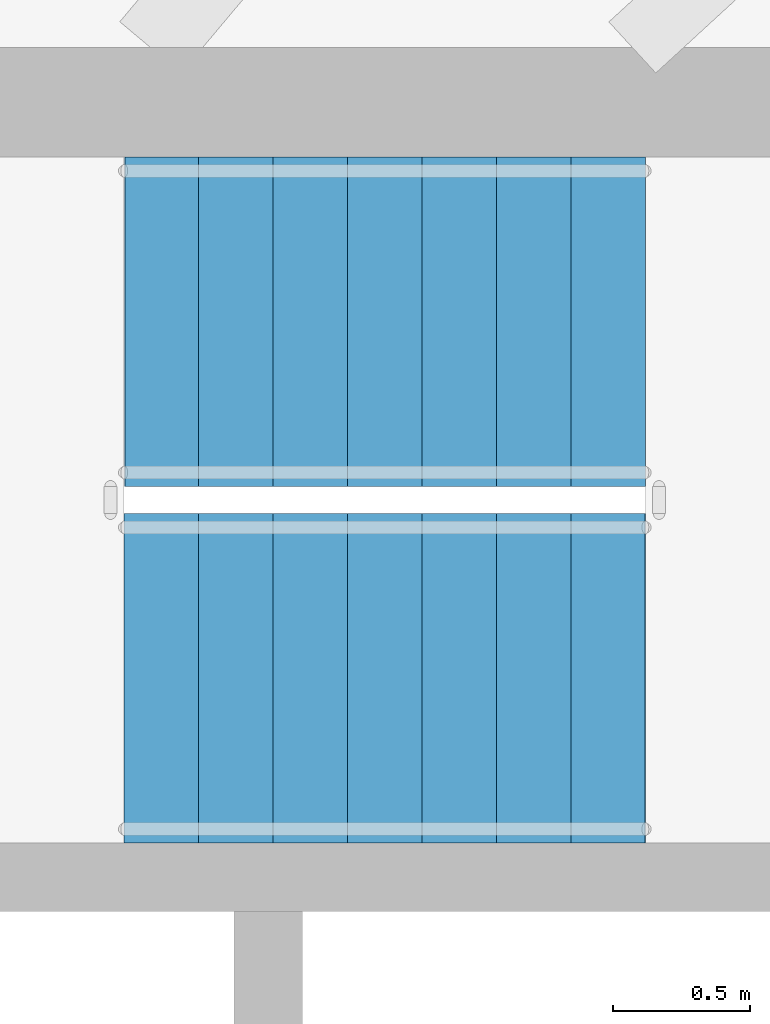
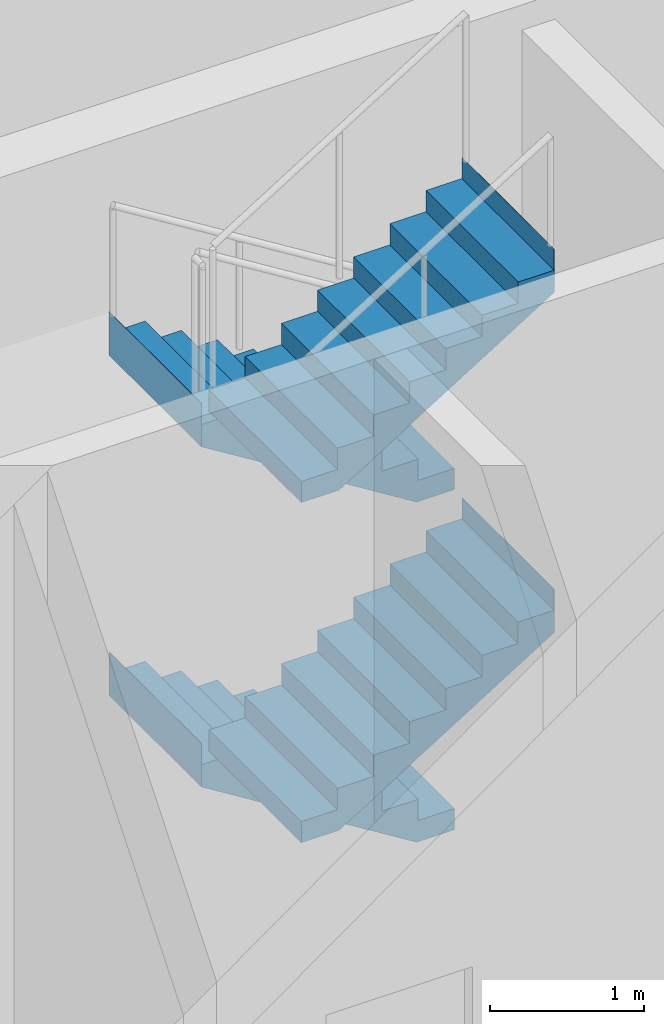
# One storey, part 11 of 16: 4 stair flights, 1 element without a shape of its own.
"""IFC4 building model written with IfcOpenShell, lengths in metres."""

from ifc_helpers import new_model, si_unit, direction, frame, origin, place, context, subcontext, project, spatial, triangles, material, type_object, element, aggregate, save


model = new_model("IFC4")

# Units and contexts
model_context = context("Model", 3, precision=1e-05, world=origin(), true_north=direction((0.0, 1.0)))
body_context = subcontext(model_context, "Body", "Model", "MODEL_VIEW")
ifc_project = project(units=[si_unit("LENGTHUNIT", "METRE"), si_unit("AREAUNIT", "SQUARE_METRE"), si_unit("VOLUMEUNIT", "CUBIC_METRE"), si_unit("PLANEANGLEUNIT", "RADIAN"), si_unit("MASSUNIT", "GRAM", prefix="KILO")], contexts=[model_context])

# Site, building, storey
site_placement = place(None, origin())
site = spatial("IfcSite", under=ifc_project, at=site_placement, CompositionType="ELEMENT")
building_placement = place(site_placement, origin())
building = spatial("IfcBuilding", under=site, at=building_placement, Name="Sahrelin Media Tower", CompositionType="ELEMENT")
storey_placement = place(building_placement, frame((0.0, 0.0, 324.39990234375)))
storey = spatial("IfcBuildingStorey", under=building, at=storey_placement, Name="L72", CompositionType="ELEMENT", Elevation=324.39990234375)

# Stair, stair flights
ifc_material = material(Name="Concrete C40/50", Category="concrete")
stair_type = type_object("IfcStairType", Name="Exit stair 1200", PredefinedType="HALF_TURN_STAIR", material=ifc_material)
stair_placement = place(storey_placement, origin())
stair = element("IfcStair", 1, at=stair_placement, inside=storey, type_object=stair_type, Name="L72 Exit stair ST3", PredefinedType="HALF_TURN_STAIR")
stair_flight_type = type_object("IfcStairFlightType", Name="Stair flight 1200", PredefinedType="STRAIGHT", material=ifc_material)
stair_flight_1_placement = place(storey_placement, frame((7.675048828125, 6.0, 0.0), z_axis=(0.0, 0.0, 1.0), x_axis=(-1.0, 0.0, 0.0)))
stair_flight_1 = element("IfcStairFlight", 2, at=stair_flight_1_placement, type_object=stair_flight_type, Name="ST3 flight 1", NumberOfRisers=8, NumberOfTreads=7, PredefinedType="STRAIGHT", RiserHeight=0.16875, TreadLength=0.271428571, context=body_context, shape_type="Tessellation", body=[
    triangles([(0.283935546875, 0.60009765625, 0.0), (0.283935546875, 0.300048828125, 0.0), (0.283935546875, 0.0, 0.0), (0.283935546875, -0.300048828125, 0.0), (0.283935546875, -0.60009765625, 0.0), (1.89990234375, 0.60009765625, 1.004638671875), (1.89990234375, 0.300048828125, 1.004638671875), (1.89990234375, 0.0, 1.004638671875), (1.89990234375, -0.300048828125, 1.004638671875), (1.89990234375, -0.60009765625, 1.004638671875), (1.89990234375, 0.60009765625, 1.35009765625), (1.89990234375, 0.300048828125, 1.35009765625), (1.89990234375, 0.0, 1.35009765625), (1.89990234375, -0.300048828125, 1.35009765625), (1.89990234375, -0.60009765625, 1.35009765625), (1.89794921875, 0.60009765625, 1.35009765625), (1.89794921875, 0.300048828125, 1.35009765625), (1.89794921875, 0.0, 1.35009765625), (1.89794921875, -0.300048828125, 1.35009765625), (1.89794921875, -0.60009765625, 1.35009765625), (1.89794921875, 0.60009765625, 1.18115234375), (1.89794921875, 0.300048828125, 1.18115234375), (1.89794921875, 0.0, 1.18115234375), (1.89794921875, -0.300048828125, 1.18115234375), (1.89794921875, -0.60009765625, 1.18115234375), (1.628662109375, 0.60009765625, 1.18115234375), (1.628662109375, 0.300048828125, 1.18115234375), (1.628662109375, 0.0, 1.18115234375), (1.628662109375, -0.300048828125, 1.18115234375), (1.628662109375, -0.60009765625, 1.18115234375), (1.628662109375, 0.60009765625, 1.012451171875), (1.628662109375, 0.300048828125, 1.012451171875), (1.628662109375, 0.0, 1.012451171875), (1.628662109375, -0.300048828125, 1.012451171875), (1.628662109375, -0.60009765625, 1.012451171875), (1.357177734375, 0.60009765625, 1.012451171875), (1.357177734375, 0.300048828125, 1.012451171875), (1.357177734375, 0.0, 1.012451171875), (1.357177734375, -0.300048828125, 1.012451171875), (1.357177734375, -0.60009765625, 1.012451171875), (1.357177734375, 0.60009765625, 0.84375), (1.357177734375, 0.300048828125, 0.84375), (1.357177734375, 0.0, 0.84375), (1.357177734375, -0.300048828125, 0.84375), (1.357177734375, -0.60009765625, 0.84375), (1.085693359375, 0.60009765625, 0.84375), (1.085693359375, 0.300048828125, 0.84375), (1.085693359375, 0.0, 0.84375), (1.085693359375, -0.300048828125, 0.84375), (1.085693359375, -0.60009765625, 0.84375), (1.085693359375, 0.60009765625, 0.675048828125), (1.085693359375, 0.300048828125, 0.675048828125), (1.085693359375, 0.0, 0.675048828125), (1.085693359375, -0.300048828125, 0.675048828125), (1.085693359375, -0.60009765625, 0.675048828125), (0.814208984375, 0.60009765625, 0.675048828125), (0.814208984375, 0.300048828125, 0.675048828125), (0.814208984375, 0.0, 0.675048828125), (0.814208984375, -0.300048828125, 0.675048828125), (0.814208984375, -0.60009765625, 0.675048828125), (0.814208984375, 0.60009765625, 0.50634765625), (0.814208984375, 0.300048828125, 0.50634765625), (0.814208984375, 0.0, 0.50634765625), (0.814208984375, -0.300048828125, 0.50634765625), (0.814208984375, -0.60009765625, 0.50634765625), (0.54296875, 0.60009765625, 0.50634765625), (0.54296875, 0.300048828125, 0.50634765625), (0.54296875, 0.0, 0.50634765625), (0.54296875, -0.300048828125, 0.50634765625), (0.54296875, -0.60009765625, 0.50634765625), (0.54296875, 0.60009765625, 0.33740234375), (0.54296875, 0.300048828125, 0.33740234375), (0.54296875, 0.0, 0.33740234375), (0.54296875, -0.300048828125, 0.33740234375), (0.54296875, -0.60009765625, 0.33740234375), (0.271484375, 0.60009765625, 0.33740234375), (0.271484375, 0.300048828125, 0.33740234375), (0.271484375, 0.0, 0.33740234375), (0.271484375, -0.300048828125, 0.33740234375), (0.271484375, -0.60009765625, 0.33740234375), (0.271484375, 0.60009765625, 0.168701171875), (0.271484375, 0.300048828125, 0.168701171875), (0.271484375, 0.0, 0.168701171875), (0.271484375, -0.300048828125, 0.168701171875), (0.271484375, -0.60009765625, 0.168701171875), (0.0, 0.60009765625, 0.168701171875), (0.0, 0.300048828125, 0.168701171875), (0.0, 0.0, 0.168701171875), (0.0, -0.300048828125, 0.168701171875), (0.0, -0.60009765625, 0.168701171875), (0.0, 0.60009765625, 0.0), (0.0, 0.300048828125, 0.0), (0.0, 0.0, 0.0), (0.0, -0.300048828125, 0.0), (0.0, -0.60009765625, 0.0)], [[1, 6, 7], [1, 7, 2], [2, 7, 8], [2, 8, 3], [3, 8, 9], [3, 9, 4], [4, 9, 10], [4, 10, 5], [6, 11, 12], [6, 12, 7], [7, 12, 13], [7, 13, 8], [8, 13, 14], [8, 14, 9], [9, 14, 15], [9, 15, 10], [11, 16, 17], [11, 17, 12], [12, 17, 18], [12, 18, 13], [13, 18, 19], [13, 19, 14], [14, 19, 20], [14, 20, 15], [16, 21, 22], [16, 22, 17], [17, 22, 23], [17, 23, 18], [18, 23, 24], [18, 24, 19], [19, 24, 25], [19, 25, 20], [21, 26, 27], [21, 27, 22], [22, 27, 28], [22, 28, 23], [23, 28, 29], [23, 29, 24], [24, 29, 30], [24, 30, 25], [26, 31, 32], [26, 32, 27], [27, 32, 33], [27, 33, 28], [28, 33, 34], [28, 34, 29], [29, 34, 35], [29, 35, 30], [31, 36, 37], [31, 37, 32], [32, 37, 38], [32, 38, 33], [33, 38, 39], [33, 39, 34], [34, 39, 40], [34, 40, 35], [36, 41, 42], [36, 42, 37], [37, 42, 43], [37, 43, 38], [38, 43, 44], [38, 44, 39], [39, 44, 45], [39, 45, 40], [41, 46, 47], [41, 47, 42], [42, 47, 48], [42, 48, 43], [43, 48, 49], [43, 49, 44], [44, 49, 50], [44, 50, 45], [46, 51, 52], [46, 52, 47], [47, 52, 53], [47, 53, 48], [48, 53, 54], [48, 54, 49], [49, 54, 55], [49, 55, 50], [51, 56, 57], [51, 57, 52], [52, 57, 58], [52, 58, 53], [53, 58, 59], [53, 59, 54], [54, 59, 60], [54, 60, 55], [56, 61, 62], [56, 62, 57], [57, 62, 63], [57, 63, 58], [58, 63, 64], [58, 64, 59], [59, 64, 65], [59, 65, 60], [61, 66, 67], [61, 67, 62], [62, 67, 68], [62, 68, 63], [63, 68, 69], [63, 69, 64], [64, 69, 70], [64, 70, 65], [66, 71, 72], [66, 72, 67], [67, 72, 73], [67, 73, 68], [68, 73, 74], [68, 74, 69], [69, 74, 75], [69, 75, 70], [71, 76, 77], [71, 77, 72], [72, 77, 78], [72, 78, 73], [73, 78, 79], [73, 79, 74], [74, 79, 80], [74, 80, 75], [76, 81, 82], [76, 82, 77], [77, 82, 83], [77, 83, 78], [78, 83, 84], [78, 84, 79], [79, 84, 85], [79, 85, 80], [81, 86, 87], [81, 87, 82], [82, 87, 88], [82, 88, 83], [83, 88, 89], [83, 89, 84], [84, 89, 90], [84, 90, 85], [86, 91, 92], [86, 92, 87], [87, 92, 93], [87, 93, 88], [88, 93, 94], [88, 94, 89], [89, 94, 95], [89, 95, 90], [91, 1, 2], [91, 2, 92], [92, 2, 3], [92, 3, 93], [93, 3, 4], [93, 4, 94], [94, 4, 5], [94, 5, 95], [85, 90, 95], [81, 91, 86], [85, 75, 80], [81, 76, 71], [75, 65, 70], [71, 66, 61], [65, 55, 60], [61, 56, 51], [55, 45, 50], [51, 46, 41], [45, 35, 40], [41, 36, 31], [35, 25, 30], [31, 26, 21], [25, 15, 20], [21, 16, 11], [95, 5, 85], [91, 81, 1], [5, 55, 65], [1, 61, 51], [25, 10, 15], [21, 11, 6], [75, 85, 5], [71, 1, 81], [10, 45, 55], [6, 51, 41], [35, 10, 25], [31, 21, 6], [65, 75, 5], [61, 1, 71], [45, 10, 35], [41, 31, 6], [5, 10, 55], [1, 51, 6]], closed=True),
])
stair_flight_2_placement = place(storey_placement, frame((5.77490234375, 4.699951171875, 1.35009765625), z_axis=(0.0, 0.0, 1.0), x_axis=(1.0, 0.0, 0.0)))
stair_flight_2 = element("IfcStairFlight", 3, at=stair_flight_2_placement, type_object=stair_flight_type, Name="ST3 flight 2", NumberOfRisers=8, NumberOfTreads=7, PredefinedType="STRAIGHT", RiserHeight=0.16875, TreadLength=0.271428571, context=body_context, shape_type="Tessellation", body=[
    triangles([(0.283935546875, 0.60009765625, 0.0), (0.283935546875, 0.300048828125, 0.0), (0.283935546875, 0.0, 0.0), (0.283935546875, -0.300048828125, 0.0), (0.283935546875, -0.60009765625, 0.0), (1.89990234375, 0.60009765625, 1.004638671875), (1.89990234375, 0.300048828125, 1.004638671875), (1.89990234375, 0.0, 1.004638671875), (1.89990234375, -0.300048828125, 1.004638671875), (1.89990234375, -0.60009765625, 1.004638671875), (1.89990234375, 0.60009765625, 1.35009765625), (1.89990234375, 0.300048828125, 1.35009765625), (1.89990234375, 0.0, 1.35009765625), (1.89990234375, -0.300048828125, 1.35009765625), (1.89990234375, -0.60009765625, 1.35009765625), (1.89794921875, 0.60009765625, 1.35009765625), (1.89794921875, 0.300048828125, 1.35009765625), (1.89794921875, 0.0, 1.35009765625), (1.89794921875, -0.300048828125, 1.35009765625), (1.89794921875, -0.60009765625, 1.35009765625), (1.89794921875, 0.60009765625, 1.18115234375), (1.89794921875, 0.300048828125, 1.18115234375), (1.89794921875, 0.0, 1.18115234375), (1.89794921875, -0.300048828125, 1.18115234375), (1.89794921875, -0.60009765625, 1.18115234375), (1.628662109375, 0.60009765625, 1.18115234375), (1.628662109375, 0.300048828125, 1.18115234375), (1.628662109375, 0.0, 1.18115234375), (1.628662109375, -0.300048828125, 1.18115234375), (1.628662109375, -0.60009765625, 1.18115234375), (1.628662109375, 0.60009765625, 1.012451171875), (1.628662109375, 0.300048828125, 1.012451171875), (1.628662109375, 0.0, 1.012451171875), (1.628662109375, -0.300048828125, 1.012451171875), (1.628662109375, -0.60009765625, 1.012451171875), (1.357177734375, 0.60009765625, 1.012451171875), (1.357177734375, 0.300048828125, 1.012451171875), (1.357177734375, 0.0, 1.012451171875), (1.357177734375, -0.300048828125, 1.012451171875), (1.357177734375, -0.60009765625, 1.012451171875), (1.357177734375, 0.60009765625, 0.84375), (1.357177734375, 0.300048828125, 0.84375), (1.357177734375, 0.0, 0.84375), (1.357177734375, -0.300048828125, 0.84375), (1.357177734375, -0.60009765625, 0.84375), (1.085693359375, 0.60009765625, 0.84375), (1.085693359375, 0.300048828125, 0.84375), (1.085693359375, 0.0, 0.84375), (1.085693359375, -0.300048828125, 0.84375), (1.085693359375, -0.60009765625, 0.84375), (1.085693359375, 0.60009765625, 0.675048828125), (1.085693359375, 0.300048828125, 0.675048828125), (1.085693359375, 0.0, 0.675048828125), (1.085693359375, -0.300048828125, 0.675048828125), (1.085693359375, -0.60009765625, 0.675048828125), (0.814208984375, 0.60009765625, 0.675048828125), (0.814208984375, 0.300048828125, 0.675048828125), (0.814208984375, 0.0, 0.675048828125), (0.814208984375, -0.300048828125, 0.675048828125), (0.814208984375, -0.60009765625, 0.675048828125), (0.814208984375, 0.60009765625, 0.50634765625), (0.814208984375, 0.300048828125, 0.50634765625), (0.814208984375, 0.0, 0.50634765625), (0.814208984375, -0.300048828125, 0.50634765625), (0.814208984375, -0.60009765625, 0.50634765625), (0.54296875, 0.60009765625, 0.50634765625), (0.54296875, 0.300048828125, 0.50634765625), (0.54296875, 0.0, 0.50634765625), (0.54296875, -0.300048828125, 0.50634765625), (0.54296875, -0.60009765625, 0.50634765625), (0.54296875, 0.60009765625, 0.33740234375), (0.54296875, 0.300048828125, 0.33740234375), (0.54296875, 0.0, 0.33740234375), (0.54296875, -0.300048828125, 0.33740234375), (0.54296875, -0.60009765625, 0.33740234375), (0.271484375, 0.60009765625, 0.33740234375), (0.271484375, 0.300048828125, 0.33740234375), (0.271484375, 0.0, 0.33740234375), (0.271484375, -0.300048828125, 0.33740234375), (0.271484375, -0.60009765625, 0.33740234375), (0.271484375, 0.60009765625, 0.168701171875), (0.271484375, 0.300048828125, 0.168701171875), (0.271484375, 0.0, 0.168701171875), (0.271484375, -0.300048828125, 0.168701171875), (0.271484375, -0.60009765625, 0.168701171875), (0.0, 0.60009765625, 0.168701171875), (0.0, 0.300048828125, 0.168701171875), (0.0, 0.0, 0.168701171875), (0.0, -0.300048828125, 0.168701171875), (0.0, -0.60009765625, 0.168701171875), (0.0, 0.60009765625, 0.0), (0.0, 0.300048828125, 0.0), (0.0, 0.0, 0.0), (0.0, -0.300048828125, 0.0), (0.0, -0.60009765625, 0.0)], [[1, 6, 7], [1, 7, 2], [2, 7, 8], [2, 8, 3], [3, 8, 9], [3, 9, 4], [4, 9, 10], [4, 10, 5], [6, 11, 12], [6, 12, 7], [7, 12, 13], [7, 13, 8], [8, 13, 14], [8, 14, 9], [9, 14, 15], [9, 15, 10], [11, 16, 17], [11, 17, 12], [12, 17, 18], [12, 18, 13], [13, 18, 19], [13, 19, 14], [14, 19, 20], [14, 20, 15], [16, 21, 22], [16, 22, 17], [17, 22, 23], [17, 23, 18], [18, 23, 24], [18, 24, 19], [19, 24, 25], [19, 25, 20], [21, 26, 27], [21, 27, 22], [22, 27, 28], [22, 28, 23], [23, 28, 29], [23, 29, 24], [24, 29, 30], [24, 30, 25], [26, 31, 32], [26, 32, 27], [27, 32, 33], [27, 33, 28], [28, 33, 34], [28, 34, 29], [29, 34, 35], [29, 35, 30], [31, 36, 37], [31, 37, 32], [32, 37, 38], [32, 38, 33], [33, 38, 39], [33, 39, 34], [34, 39, 40], [34, 40, 35], [36, 41, 42], [36, 42, 37], [37, 42, 43], [37, 43, 38], [38, 43, 44], [38, 44, 39], [39, 44, 45], [39, 45, 40], [41, 46, 47], [41, 47, 42], [42, 47, 48], [42, 48, 43], [43, 48, 49], [43, 49, 44], [44, 49, 50], [44, 50, 45], [46, 51, 52], [46, 52, 47], [47, 52, 53], [47, 53, 48], [48, 53, 54], [48, 54, 49], [49, 54, 55], [49, 55, 50], [51, 56, 57], [51, 57, 52], [52, 57, 58], [52, 58, 53], [53, 58, 59], [53, 59, 54], [54, 59, 60], [54, 60, 55], [56, 61, 62], [56, 62, 57], [57, 62, 63], [57, 63, 58], [58, 63, 64], [58, 64, 59], [59, 64, 65], [59, 65, 60], [61, 66, 67], [61, 67, 62], [62, 67, 68], [62, 68, 63], [63, 68, 69], [63, 69, 64], [64, 69, 70], [64, 70, 65], [66, 71, 72], [66, 72, 67], [67, 72, 73], [67, 73, 68], [68, 73, 74], [68, 74, 69], [69, 74, 75], [69, 75, 70], [71, 76, 77], [71, 77, 72], [72, 77, 78], [72, 78, 73], [73, 78, 79], [73, 79, 74], [74, 79, 80], [74, 80, 75], [76, 81, 82], [76, 82, 77], [77, 82, 83], [77, 83, 78], [78, 83, 84], [78, 84, 79], [79, 84, 85], [79, 85, 80], [81, 86, 87], [81, 87, 82], [82, 87, 88], [82, 88, 83], [83, 88, 89], [83, 89, 84], [84, 89, 90], [84, 90, 85], [86, 91, 92], [86, 92, 87], [87, 92, 93], [87, 93, 88], [88, 93, 94], [88, 94, 89], [89, 94, 95], [89, 95, 90], [91, 1, 2], [91, 2, 92], [92, 2, 3], [92, 3, 93], [93, 3, 4], [93, 4, 94], [94, 4, 5], [94, 5, 95], [85, 90, 95], [81, 91, 86], [85, 75, 80], [81, 76, 71], [75, 65, 70], [71, 66, 61], [65, 55, 60], [61, 56, 51], [55, 45, 50], [51, 46, 41], [45, 35, 40], [41, 36, 31], [35, 25, 30], [31, 26, 21], [25, 15, 20], [21, 16, 11], [95, 5, 85], [91, 81, 1], [5, 55, 65], [1, 61, 51], [25, 10, 15], [21, 11, 6], [75, 85, 5], [71, 1, 81], [10, 45, 55], [6, 51, 41], [35, 10, 25], [31, 21, 6], [65, 75, 5], [61, 1, 71], [45, 10, 35], [41, 31, 6], [5, 10, 55], [1, 51, 6]], closed=True),
])
stair_flight_3_placement = place(storey_placement, frame((7.675048828125, 6.0, 2.7001953125), z_axis=(0.0, 0.0, 1.0), x_axis=(-1.0, 0.0, 0.0)))
stair_flight_3 = element("IfcStairFlight", 4, at=stair_flight_3_placement, type_object=stair_flight_type, Name="ST3 flight 3", NumberOfRisers=8, NumberOfTreads=7, PredefinedType="STRAIGHT", RiserHeight=0.16875, TreadLength=0.271428571, context=body_context, shape_type="Tessellation", body=[
    triangles([(0.283935546875, 0.60009765625, 0.0), (0.283935546875, 0.300048828125, 0.0), (0.283935546875, 0.0, 0.0), (0.283935546875, -0.300048828125, 0.0), (0.283935546875, -0.60009765625, 0.0), (1.89990234375, 0.60009765625, 1.004638671875), (1.89990234375, 0.300048828125, 1.004638671875), (1.89990234375, 0.0, 1.004638671875), (1.89990234375, -0.300048828125, 1.004638671875), (1.89990234375, -0.60009765625, 1.004638671875), (1.89990234375, 0.60009765625, 1.35009765625), (1.89990234375, 0.300048828125, 1.35009765625), (1.89990234375, 0.0, 1.35009765625), (1.89990234375, -0.300048828125, 1.35009765625), (1.89990234375, -0.60009765625, 1.35009765625), (1.89794921875, 0.60009765625, 1.35009765625), (1.89794921875, 0.300048828125, 1.35009765625), (1.89794921875, 0.0, 1.35009765625), (1.89794921875, -0.300048828125, 1.35009765625), (1.89794921875, -0.60009765625, 1.35009765625), (1.89794921875, 0.60009765625, 1.18115234375), (1.89794921875, 0.300048828125, 1.18115234375), (1.89794921875, 0.0, 1.18115234375), (1.89794921875, -0.300048828125, 1.18115234375), (1.89794921875, -0.60009765625, 1.18115234375), (1.628662109375, 0.60009765625, 1.18115234375), (1.628662109375, 0.300048828125, 1.18115234375), (1.628662109375, 0.0, 1.18115234375), (1.628662109375, -0.300048828125, 1.18115234375), (1.628662109375, -0.60009765625, 1.18115234375), (1.628662109375, 0.60009765625, 1.012451171875), (1.628662109375, 0.300048828125, 1.012451171875), (1.628662109375, 0.0, 1.012451171875), (1.628662109375, -0.300048828125, 1.012451171875), (1.628662109375, -0.60009765625, 1.012451171875), (1.357177734375, 0.60009765625, 1.012451171875), (1.357177734375, 0.300048828125, 1.012451171875), (1.357177734375, 0.0, 1.012451171875), (1.357177734375, -0.300048828125, 1.012451171875), (1.357177734375, -0.60009765625, 1.012451171875), (1.357177734375, 0.60009765625, 0.84375), (1.357177734375, 0.300048828125, 0.84375), (1.357177734375, 0.0, 0.84375), (1.357177734375, -0.300048828125, 0.84375), (1.357177734375, -0.60009765625, 0.84375), (1.085693359375, 0.60009765625, 0.84375), (1.085693359375, 0.300048828125, 0.84375), (1.085693359375, 0.0, 0.84375), (1.085693359375, -0.300048828125, 0.84375), (1.085693359375, -0.60009765625, 0.84375), (1.085693359375, 0.60009765625, 0.675048828125), (1.085693359375, 0.300048828125, 0.675048828125), (1.085693359375, 0.0, 0.675048828125), (1.085693359375, -0.300048828125, 0.675048828125), (1.085693359375, -0.60009765625, 0.675048828125), (0.814208984375, 0.60009765625, 0.675048828125), (0.814208984375, 0.300048828125, 0.675048828125), (0.814208984375, 0.0, 0.675048828125), (0.814208984375, -0.300048828125, 0.675048828125), (0.814208984375, -0.60009765625, 0.675048828125), (0.814208984375, 0.60009765625, 0.50634765625), (0.814208984375, 0.300048828125, 0.50634765625), (0.814208984375, 0.0, 0.50634765625), (0.814208984375, -0.300048828125, 0.50634765625), (0.814208984375, -0.60009765625, 0.50634765625), (0.54296875, 0.60009765625, 0.50634765625), (0.54296875, 0.300048828125, 0.50634765625), (0.54296875, 0.0, 0.50634765625), (0.54296875, -0.300048828125, 0.50634765625), (0.54296875, -0.60009765625, 0.50634765625), (0.54296875, 0.60009765625, 0.33740234375), (0.54296875, 0.300048828125, 0.33740234375), (0.54296875, 0.0, 0.33740234375), (0.54296875, -0.300048828125, 0.33740234375), (0.54296875, -0.60009765625, 0.33740234375), (0.271484375, 0.60009765625, 0.33740234375), (0.271484375, 0.300048828125, 0.33740234375), (0.271484375, 0.0, 0.33740234375), (0.271484375, -0.300048828125, 0.33740234375), (0.271484375, -0.60009765625, 0.33740234375), (0.271484375, 0.60009765625, 0.168701171875), (0.271484375, 0.300048828125, 0.168701171875), (0.271484375, 0.0, 0.168701171875), (0.271484375, -0.300048828125, 0.168701171875), (0.271484375, -0.60009765625, 0.168701171875), (0.0, 0.60009765625, 0.168701171875), (0.0, 0.300048828125, 0.168701171875), (0.0, 0.0, 0.168701171875), (0.0, -0.300048828125, 0.168701171875), (0.0, -0.60009765625, 0.168701171875), (0.0, 0.60009765625, 0.0), (0.0, 0.300048828125, 0.0), (0.0, 0.0, 0.0), (0.0, -0.300048828125, 0.0), (0.0, -0.60009765625, 0.0)], [[1, 6, 7], [1, 7, 2], [2, 7, 8], [2, 8, 3], [3, 8, 9], [3, 9, 4], [4, 9, 10], [4, 10, 5], [6, 11, 12], [6, 12, 7], [7, 12, 13], [7, 13, 8], [8, 13, 14], [8, 14, 9], [9, 14, 15], [9, 15, 10], [11, 16, 17], [11, 17, 12], [12, 17, 18], [12, 18, 13], [13, 18, 19], [13, 19, 14], [14, 19, 20], [14, 20, 15], [16, 21, 22], [16, 22, 17], [17, 22, 23], [17, 23, 18], [18, 23, 24], [18, 24, 19], [19, 24, 25], [19, 25, 20], [21, 26, 27], [21, 27, 22], [22, 27, 28], [22, 28, 23], [23, 28, 29], [23, 29, 24], [24, 29, 30], [24, 30, 25], [26, 31, 32], [26, 32, 27], [27, 32, 33], [27, 33, 28], [28, 33, 34], [28, 34, 29], [29, 34, 35], [29, 35, 30], [31, 36, 37], [31, 37, 32], [32, 37, 38], [32, 38, 33], [33, 38, 39], [33, 39, 34], [34, 39, 40], [34, 40, 35], [36, 41, 42], [36, 42, 37], [37, 42, 43], [37, 43, 38], [38, 43, 44], [38, 44, 39], [39, 44, 45], [39, 45, 40], [41, 46, 47], [41, 47, 42], [42, 47, 48], [42, 48, 43], [43, 48, 49], [43, 49, 44], [44, 49, 50], [44, 50, 45], [46, 51, 52], [46, 52, 47], [47, 52, 53], [47, 53, 48], [48, 53, 54], [48, 54, 49], [49, 54, 55], [49, 55, 50], [51, 56, 57], [51, 57, 52], [52, 57, 58], [52, 58, 53], [53, 58, 59], [53, 59, 54], [54, 59, 60], [54, 60, 55], [56, 61, 62], [56, 62, 57], [57, 62, 63], [57, 63, 58], [58, 63, 64], [58, 64, 59], [59, 64, 65], [59, 65, 60], [61, 66, 67], [61, 67, 62], [62, 67, 68], [62, 68, 63], [63, 68, 69], [63, 69, 64], [64, 69, 70], [64, 70, 65], [66, 71, 72], [66, 72, 67], [67, 72, 73], [67, 73, 68], [68, 73, 74], [68, 74, 69], [69, 74, 75], [69, 75, 70], [71, 76, 77], [71, 77, 72], [72, 77, 78], [72, 78, 73], [73, 78, 79], [73, 79, 74], [74, 79, 80], [74, 80, 75], [76, 81, 82], [76, 82, 77], [77, 82, 83], [77, 83, 78], [78, 83, 84], [78, 84, 79], [79, 84, 85], [79, 85, 80], [81, 86, 87], [81, 87, 82], [82, 87, 88], [82, 88, 83], [83, 88, 89], [83, 89, 84], [84, 89, 90], [84, 90, 85], [86, 91, 92], [86, 92, 87], [87, 92, 93], [87, 93, 88], [88, 93, 94], [88, 94, 89], [89, 94, 95], [89, 95, 90], [91, 1, 2], [91, 2, 92], [92, 2, 3], [92, 3, 93], [93, 3, 4], [93, 4, 94], [94, 4, 5], [94, 5, 95], [85, 90, 95], [81, 91, 86], [85, 75, 80], [81, 76, 71], [75, 65, 70], [71, 66, 61], [65, 55, 60], [61, 56, 51], [55, 45, 50], [51, 46, 41], [45, 35, 40], [41, 36, 31], [35, 25, 30], [31, 26, 21], [25, 15, 20], [21, 16, 11], [95, 5, 85], [91, 81, 1], [5, 55, 65], [1, 61, 51], [25, 10, 15], [21, 11, 6], [75, 85, 5], [71, 1, 81], [10, 45, 55], [6, 51, 41], [35, 10, 25], [31, 21, 6], [65, 75, 5], [61, 1, 71], [45, 10, 35], [41, 31, 6], [5, 10, 55], [1, 51, 6]], closed=True),
])
stair_flight_4_placement = place(storey_placement, frame((5.77490234375, 4.699951171875, 4.050048828125), z_axis=(0.0, 0.0, 1.0), x_axis=(1.0, 0.0, 0.0)))
stair_flight_4 = element("IfcStairFlight", 5, at=stair_flight_4_placement, type_object=stair_flight_type, Name="ST3 flight 4", NumberOfRisers=8, NumberOfTreads=7, PredefinedType="STRAIGHT", RiserHeight=0.16875, TreadLength=0.271428571, context=body_context, shape_type="Tessellation", body=[
    triangles([(0.283935546875, 0.60009765625, 0.0), (0.283935546875, 0.300048828125, 0.0), (0.283935546875, 0.0, 0.0), (0.283935546875, -0.300048828125, 0.0), (0.283935546875, -0.60009765625, 0.0), (1.89990234375, 0.60009765625, 1.004638671875), (1.89990234375, 0.300048828125, 1.004638671875), (1.89990234375, 0.0, 1.004638671875), (1.89990234375, -0.300048828125, 1.004638671875), (1.89990234375, -0.60009765625, 1.004638671875), (1.89990234375, 0.60009765625, 1.35009765625), (1.89990234375, 0.300048828125, 1.35009765625), (1.89990234375, 0.0, 1.35009765625), (1.89990234375, -0.300048828125, 1.35009765625), (1.89990234375, -0.60009765625, 1.35009765625), (1.89794921875, 0.60009765625, 1.35009765625), (1.89794921875, 0.300048828125, 1.35009765625), (1.89794921875, 0.0, 1.35009765625), (1.89794921875, -0.300048828125, 1.35009765625), (1.89794921875, -0.60009765625, 1.35009765625), (1.89794921875, 0.60009765625, 1.18115234375), (1.89794921875, 0.300048828125, 1.18115234375), (1.89794921875, 0.0, 1.18115234375), (1.89794921875, -0.300048828125, 1.18115234375), (1.89794921875, -0.60009765625, 1.18115234375), (1.628662109375, 0.60009765625, 1.18115234375), (1.628662109375, 0.300048828125, 1.18115234375), (1.628662109375, 0.0, 1.18115234375), (1.628662109375, -0.300048828125, 1.18115234375), (1.628662109375, -0.60009765625, 1.18115234375), (1.628662109375, 0.60009765625, 1.012451171875), (1.628662109375, 0.300048828125, 1.012451171875), (1.628662109375, 0.0, 1.012451171875), (1.628662109375, -0.300048828125, 1.012451171875), (1.628662109375, -0.60009765625, 1.012451171875), (1.357177734375, 0.60009765625, 1.012451171875), (1.357177734375, 0.300048828125, 1.012451171875), (1.357177734375, 0.0, 1.012451171875), (1.357177734375, -0.300048828125, 1.012451171875), (1.357177734375, -0.60009765625, 1.012451171875), (1.357177734375, 0.60009765625, 0.84375), (1.357177734375, 0.300048828125, 0.84375), (1.357177734375, 0.0, 0.84375), (1.357177734375, -0.300048828125, 0.84375), (1.357177734375, -0.60009765625, 0.84375), (1.085693359375, 0.60009765625, 0.84375), (1.085693359375, 0.300048828125, 0.84375), (1.085693359375, 0.0, 0.84375), (1.085693359375, -0.300048828125, 0.84375), (1.085693359375, -0.60009765625, 0.84375), (1.085693359375, 0.60009765625, 0.675048828125), (1.085693359375, 0.300048828125, 0.675048828125), (1.085693359375, 0.0, 0.675048828125), (1.085693359375, -0.300048828125, 0.675048828125), (1.085693359375, -0.60009765625, 0.675048828125), (0.814208984375, 0.60009765625, 0.675048828125), (0.814208984375, 0.300048828125, 0.675048828125), (0.814208984375, 0.0, 0.675048828125), (0.814208984375, -0.300048828125, 0.675048828125), (0.814208984375, -0.60009765625, 0.675048828125), (0.814208984375, 0.60009765625, 0.50634765625), (0.814208984375, 0.300048828125, 0.50634765625), (0.814208984375, 0.0, 0.50634765625), (0.814208984375, -0.300048828125, 0.50634765625), (0.814208984375, -0.60009765625, 0.50634765625), (0.54296875, 0.60009765625, 0.50634765625), (0.54296875, 0.300048828125, 0.50634765625), (0.54296875, 0.0, 0.50634765625), (0.54296875, -0.300048828125, 0.50634765625), (0.54296875, -0.60009765625, 0.50634765625), (0.54296875, 0.60009765625, 0.33740234375), (0.54296875, 0.300048828125, 0.33740234375), (0.54296875, 0.0, 0.33740234375), (0.54296875, -0.300048828125, 0.33740234375), (0.54296875, -0.60009765625, 0.33740234375), (0.271484375, 0.60009765625, 0.33740234375), (0.271484375, 0.300048828125, 0.33740234375), (0.271484375, 0.0, 0.33740234375), (0.271484375, -0.300048828125, 0.33740234375), (0.271484375, -0.60009765625, 0.33740234375), (0.271484375, 0.60009765625, 0.168701171875), (0.271484375, 0.300048828125, 0.168701171875), (0.271484375, 0.0, 0.168701171875), (0.271484375, -0.300048828125, 0.168701171875), (0.271484375, -0.60009765625, 0.168701171875), (0.0, 0.60009765625, 0.168701171875), (0.0, 0.300048828125, 0.168701171875), (0.0, 0.0, 0.168701171875), (0.0, -0.300048828125, 0.168701171875), (0.0, -0.60009765625, 0.168701171875), (0.0, 0.60009765625, 0.0), (0.0, 0.300048828125, 0.0), (0.0, 0.0, 0.0), (0.0, -0.300048828125, 0.0), (0.0, -0.60009765625, 0.0)], [[1, 6, 7], [1, 7, 2], [2, 7, 8], [2, 8, 3], [3, 8, 9], [3, 9, 4], [4, 9, 10], [4, 10, 5], [6, 11, 12], [6, 12, 7], [7, 12, 13], [7, 13, 8], [8, 13, 14], [8, 14, 9], [9, 14, 15], [9, 15, 10], [11, 16, 17], [11, 17, 12], [12, 17, 18], [12, 18, 13], [13, 18, 19], [13, 19, 14], [14, 19, 20], [14, 20, 15], [16, 21, 22], [16, 22, 17], [17, 22, 23], [17, 23, 18], [18, 23, 24], [18, 24, 19], [19, 24, 25], [19, 25, 20], [21, 26, 27], [21, 27, 22], [22, 27, 28], [22, 28, 23], [23, 28, 29], [23, 29, 24], [24, 29, 30], [24, 30, 25], [26, 31, 32], [26, 32, 27], [27, 32, 33], [27, 33, 28], [28, 33, 34], [28, 34, 29], [29, 34, 35], [29, 35, 30], [31, 36, 37], [31, 37, 32], [32, 37, 38], [32, 38, 33], [33, 38, 39], [33, 39, 34], [34, 39, 40], [34, 40, 35], [36, 41, 42], [36, 42, 37], [37, 42, 43], [37, 43, 38], [38, 43, 44], [38, 44, 39], [39, 44, 45], [39, 45, 40], [41, 46, 47], [41, 47, 42], [42, 47, 48], [42, 48, 43], [43, 48, 49], [43, 49, 44], [44, 49, 50], [44, 50, 45], [46, 51, 52], [46, 52, 47], [47, 52, 53], [47, 53, 48], [48, 53, 54], [48, 54, 49], [49, 54, 55], [49, 55, 50], [51, 56, 57], [51, 57, 52], [52, 57, 58], [52, 58, 53], [53, 58, 59], [53, 59, 54], [54, 59, 60], [54, 60, 55], [56, 61, 62], [56, 62, 57], [57, 62, 63], [57, 63, 58], [58, 63, 64], [58, 64, 59], [59, 64, 65], [59, 65, 60], [61, 66, 67], [61, 67, 62], [62, 67, 68], [62, 68, 63], [63, 68, 69], [63, 69, 64], [64, 69, 70], [64, 70, 65], [66, 71, 72], [66, 72, 67], [67, 72, 73], [67, 73, 68], [68, 73, 74], [68, 74, 69], [69, 74, 75], [69, 75, 70], [71, 76, 77], [71, 77, 72], [72, 77, 78], [72, 78, 73], [73, 78, 79], [73, 79, 74], [74, 79, 80], [74, 80, 75], [76, 81, 82], [76, 82, 77], [77, 82, 83], [77, 83, 78], [78, 83, 84], [78, 84, 79], [79, 84, 85], [79, 85, 80], [81, 86, 87], [81, 87, 82], [82, 87, 88], [82, 88, 83], [83, 88, 89], [83, 89, 84], [84, 89, 90], [84, 90, 85], [86, 91, 92], [86, 92, 87], [87, 92, 93], [87, 93, 88], [88, 93, 94], [88, 94, 89], [89, 94, 95], [89, 95, 90], [91, 1, 2], [91, 2, 92], [92, 2, 3], [92, 3, 93], [93, 3, 4], [93, 4, 94], [94, 4, 5], [94, 5, 95], [85, 90, 95], [81, 91, 86], [85, 75, 80], [81, 76, 71], [75, 65, 70], [71, 66, 61], [65, 55, 60], [61, 56, 51], [55, 45, 50], [51, 46, 41], [45, 35, 40], [41, 36, 31], [35, 25, 30], [31, 26, 21], [25, 15, 20], [21, 16, 11], [95, 5, 85], [91, 81, 1], [5, 55, 65], [1, 61, 51], [25, 10, 15], [21, 11, 6], [75, 85, 5], [71, 1, 81], [10, 45, 55], [6, 51, 41], [35, 10, 25], [31, 21, 6], [65, 75, 5], [61, 1, 71], [45, 10, 35], [41, 31, 6], [5, 10, 55], [1, 51, 6]], closed=True),
])
aggregate(stair, [stair_flight_1, stair_flight_2, stair_flight_3, stair_flight_4])

save(model, "model.ifc")
